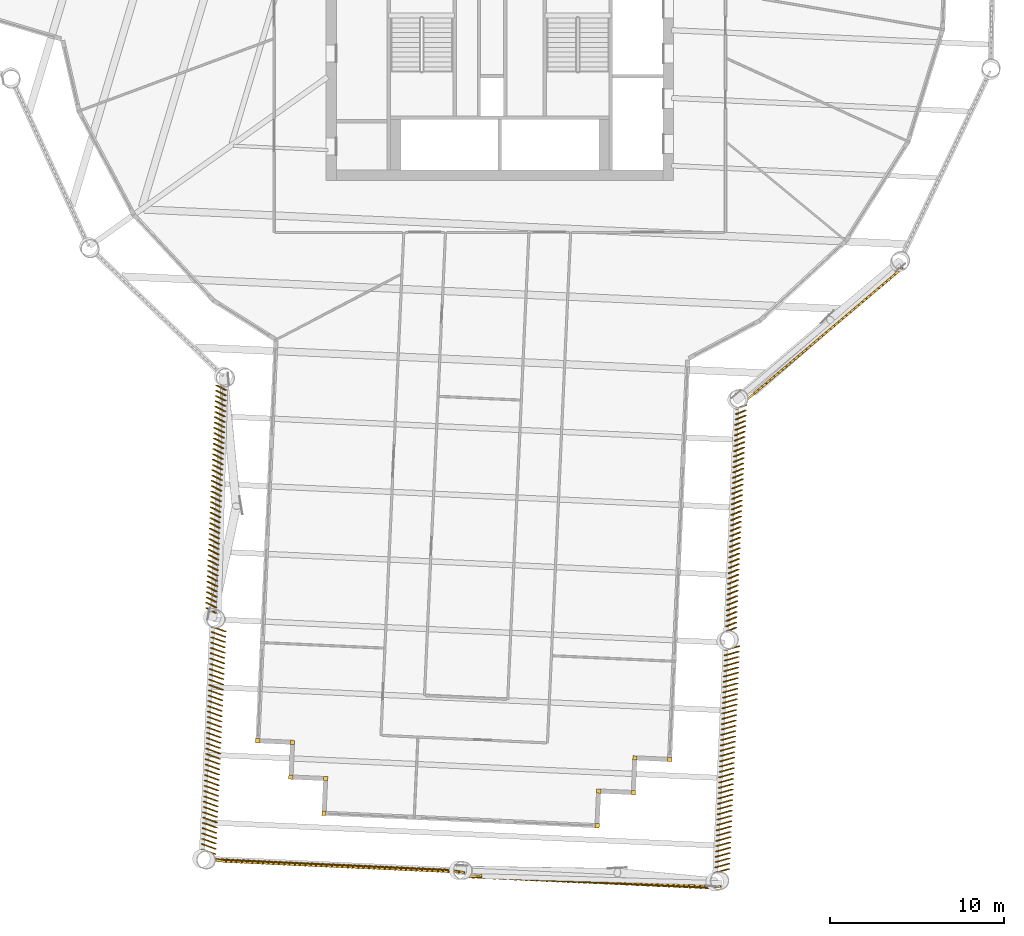
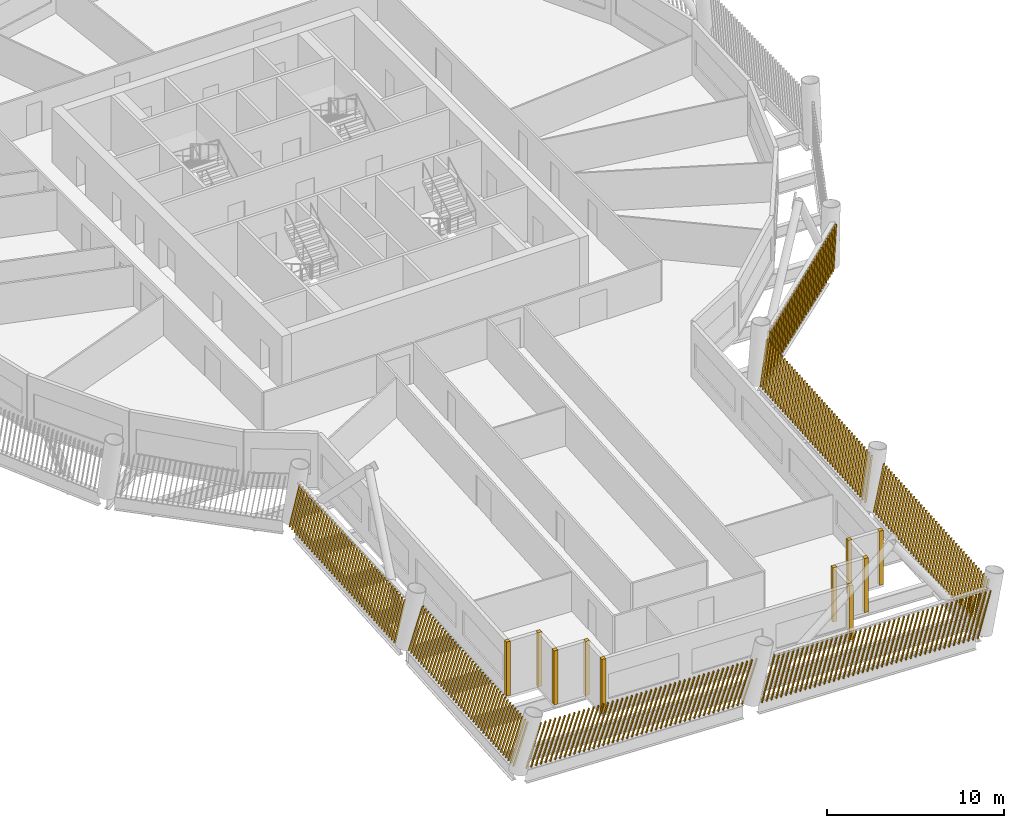
# One storey, part 20 of 24: 17 shading devices.
"""IFC4 building model written with IfcOpenShell, lengths in metres."""

from ifc_helpers import new_model, si_unit, direction, frame, frame_2d, origin, origin_2d, place, context, subcontext, project, spatial, rectangle, composite_profile, extrude, material, type_object, element, save


model = new_model("IFC4")

# Units and contexts
model_context = context("Model", 3, precision=1e-05, world=origin(), true_north=direction((0.0, 1.0)))
body_context = subcontext(model_context, "Body", "Model", "MODEL_VIEW")
ifc_project = project(units=[si_unit("LENGTHUNIT", "METRE"), si_unit("AREAUNIT", "SQUARE_METRE"), si_unit("VOLUMEUNIT", "CUBIC_METRE"), si_unit("PLANEANGLEUNIT", "RADIAN"), si_unit("MASSUNIT", "GRAM", prefix="KILO")], contexts=[model_context])

# Site, building, storey
site_placement = place(None, origin())
site = spatial("IfcSite", under=ifc_project, at=site_placement, CompositionType="ELEMENT")
building_placement = place(site_placement, origin())
building = spatial("IfcBuilding", under=site, at=building_placement, Name="Tarsis Ring Headquarters", CompositionType="ELEMENT")
storey_placement = place(building_placement, frame((0.0, 0.0, 216.0)))
storey = spatial("IfcBuildingStorey", under=building, at=storey_placement, Name="L50", CompositionType="ELEMENT", Elevation=216.0)

# Shading devices
ifc_material = material(Name="Terracotta baguette", Category="masonry")
shading_device_type_1 = type_object("IfcShadingDeviceType", Name="Terracotta baguette screen", PredefinedType="USERDEFINED", material=ifc_material)
shading_device_1_placement = place(storey_placement, frame((-16.31591796875, -24.781005859375, 0.0), z_axis=(0.0, 0.0, 1.0), x_axis=(-0.045357352357, -0.9989781823, 0.0)))
element("IfcShadingDevice", 1, at=shading_device_1_placement, inside=storey, type_object=shading_device_type_1, Name="Baguette screen L50-01", ObjectType="Terracotta baguette screen", PredefinedType="USERDEFINED", context=body_context, shape_type="SweptSolid", body=[
    extrude(composite_profile([rectangle(XDim=0.06005859375, YDim=0.1201171875, at=frame_2d((0.030029296875, 0.0))), rectangle(XDim=0.06005859375, YDim=0.1201171875, at=frame_2d((0.335693359375, 0.0))), rectangle(XDim=0.06005859375, YDim=0.1201171875, at=frame_2d((0.6416015625, 0.0))), rectangle(XDim=0.06005859375, YDim=0.1201171875, at=frame_2d((0.947265625, 0.0))), rectangle(XDim=0.06005859375, YDim=0.1201171875, at=frame_2d((1.253173828125, 0.0))), rectangle(XDim=0.06005859375, YDim=0.1201171875, at=frame_2d((1.558837890625, 0.0))), rectangle(XDim=0.06005859375, YDim=0.1201171875, at=frame_2d((1.864501953125, 0.0))), rectangle(XDim=0.06005859375, YDim=0.1201171875, at=frame_2d((2.17041015625, 0.0))), rectangle(XDim=0.06005859375, YDim=0.1201171875, at=frame_2d((2.47607421875, 0.0))), rectangle(XDim=0.06005859375, YDim=0.1201171875, at=frame_2d((2.781982421875, 0.0))), rectangle(XDim=0.06005859375, YDim=0.1201171875, at=frame_2d((3.087646484375, 0.0))), rectangle(XDim=0.06005859375, YDim=0.1201171875, at=frame_2d((3.393310546875, 0.0))), rectangle(XDim=0.06005859375, YDim=0.1201171875, at=frame_2d((3.69921875, 0.0))), rectangle(XDim=0.06005859375, YDim=0.1201171875, at=frame_2d((4.0048828125, 0.0))), rectangle(XDim=0.06005859375, YDim=0.1201171875, at=frame_2d((4.310791015625, 0.0))), rectangle(XDim=0.06005859375, YDim=0.1201171875, at=frame_2d((4.616455078125, 0.0))), rectangle(XDim=0.06005859375, YDim=0.1201171875, at=frame_2d((4.922119140625, 0.0))), rectangle(XDim=0.06005859375, YDim=0.1201171875, at=frame_2d((5.22802734375, 0.0))), rectangle(XDim=0.06005859375, YDim=0.1201171875, at=frame_2d((5.53369140625, 0.0))), rectangle(XDim=0.06005859375, YDim=0.1201171875, at=frame_2d((5.839599609375, 0.0))), rectangle(XDim=0.06005859375, YDim=0.1201171875, at=frame_2d((6.145263671875, 0.0))), rectangle(XDim=0.06005859375, YDim=0.1201171875, at=frame_2d((6.451171875, 0.0))), rectangle(XDim=0.06005859375, YDim=0.1201171875, at=frame_2d((6.7568359375, 0.0))), rectangle(XDim=0.06005859375, YDim=0.1201171875, at=frame_2d((7.0625, 0.0))), rectangle(XDim=0.06005859375, YDim=0.1201171875, at=frame_2d((7.368408203125, 0.0))), rectangle(XDim=0.06005859375, YDim=0.1201171875, at=frame_2d((7.674072265625, 0.0))), rectangle(XDim=0.06005859375, YDim=0.1201171875, at=frame_2d((7.97998046875, 0.0))), rectangle(XDim=0.06005859375, YDim=0.1201171875, at=frame_2d((8.28564453125, 0.0))), rectangle(XDim=0.06005859375, YDim=0.1201171875, at=frame_2d((8.59130859375, 0.0))), rectangle(XDim=0.06005859375, YDim=0.1201171875, at=frame_2d((8.897216796875, 0.0))), rectangle(XDim=0.06005859375, YDim=0.1201171875, at=frame_2d((9.202880859375, 0.0))), rectangle(XDim=0.06005859375, YDim=0.1201171875, at=frame_2d((9.5087890625, 0.0))), rectangle(XDim=0.06005859375, YDim=0.1201171875, at=frame_2d((9.814453125, 0.0))), rectangle(XDim=0.06005859375, YDim=0.1201171875, at=frame_2d((10.1201171875, 0.0))), rectangle(XDim=0.06005859375, YDim=0.1201171875, at=frame_2d((10.426025390625, 0.0))), rectangle(XDim=0.06005859375, YDim=0.1201171875, at=frame_2d((10.731689453125, 0.0))), rectangle(XDim=0.06005859375, YDim=0.1201171875, at=frame_2d((11.03759765625, 0.0))), rectangle(XDim=0.06005859375, YDim=0.1201171875, at=frame_2d((11.34326171875, 0.0))), rectangle(XDim=0.06005859375, YDim=0.1201171875, at=frame_2d((11.64892578125, 0.0))), rectangle(XDim=0.06005859375, YDim=0.1201171875, at=frame_2d((11.954833984375, 0.0))), rectangle(XDim=0.06005859375, YDim=0.1201171875, at=frame_2d((12.260498046875, 0.0))), rectangle(XDim=0.06005859375, YDim=0.1201171875, at=frame_2d((12.56640625, 0.0))), rectangle(XDim=0.06005859375, YDim=0.1201171875, at=frame_2d((12.8720703125, 0.0)))]), origin(), (0.083010286492, 0.178597439396, 0.980414324139), 3.0087890625),
])
shading_device_2_placement = place(storey_placement, frame((-16.572021484375, -38.685791015625, 0.0), z_axis=(0.0, 0.0, 1.0), x_axis=(-0.045357352357, -0.9989781823, 0.0)))
element("IfcShadingDevice", 2, at=shading_device_2_placement, inside=storey, type_object=shading_device_type_1, Name="Baguette screen L50-02", ObjectType="Terracotta baguette screen", PredefinedType="USERDEFINED", context=body_context, shape_type="SweptSolid", body=[
    extrude(composite_profile([rectangle(XDim=0.06005859375, YDim=0.1201171875, at=frame_2d((0.030029296875, 0.0))), rectangle(XDim=0.06005859375, YDim=0.1201171875, at=frame_2d((0.335693359375, 0.0))), rectangle(XDim=0.06005859375, YDim=0.1201171875, at=frame_2d((0.6416015625, 0.0))), rectangle(XDim=0.06005859375, YDim=0.1201171875, at=frame_2d((0.947265625, 0.0))), rectangle(XDim=0.06005859375, YDim=0.1201171875, at=frame_2d((1.253173828125, 0.0))), rectangle(XDim=0.06005859375, YDim=0.1201171875, at=frame_2d((1.558837890625, 0.0))), rectangle(XDim=0.06005859375, YDim=0.1201171875, at=frame_2d((1.864501953125, 0.0))), rectangle(XDim=0.06005859375, YDim=0.1201171875, at=frame_2d((2.17041015625, 0.0))), rectangle(XDim=0.06005859375, YDim=0.1201171875, at=frame_2d((2.47607421875, 0.0))), rectangle(XDim=0.06005859375, YDim=0.1201171875, at=frame_2d((2.781982421875, 0.0))), rectangle(XDim=0.06005859375, YDim=0.1201171875, at=frame_2d((3.087646484375, 0.0))), rectangle(XDim=0.06005859375, YDim=0.1201171875, at=frame_2d((3.393310546875, 0.0))), rectangle(XDim=0.06005859375, YDim=0.1201171875, at=frame_2d((3.69921875, 0.0))), rectangle(XDim=0.06005859375, YDim=0.1201171875, at=frame_2d((4.0048828125, 0.0))), rectangle(XDim=0.06005859375, YDim=0.1201171875, at=frame_2d((4.310791015625, 0.0))), rectangle(XDim=0.06005859375, YDim=0.1201171875, at=frame_2d((4.616455078125, 0.0))), rectangle(XDim=0.06005859375, YDim=0.1201171875, at=frame_2d((4.922119140625, 0.0))), rectangle(XDim=0.06005859375, YDim=0.1201171875, at=frame_2d((5.22802734375, 0.0))), rectangle(XDim=0.06005859375, YDim=0.1201171875, at=frame_2d((5.53369140625, 0.0))), rectangle(XDim=0.06005859375, YDim=0.1201171875, at=frame_2d((5.839599609375, 0.0))), rectangle(XDim=0.06005859375, YDim=0.1201171875, at=frame_2d((6.145263671875, 0.0))), rectangle(XDim=0.06005859375, YDim=0.1201171875, at=frame_2d((6.451171875, 0.0))), rectangle(XDim=0.06005859375, YDim=0.1201171875, at=frame_2d((6.7568359375, 0.0))), rectangle(XDim=0.06005859375, YDim=0.1201171875, at=frame_2d((7.0625, 0.0))), rectangle(XDim=0.06005859375, YDim=0.1201171875, at=frame_2d((7.368408203125, 0.0))), rectangle(XDim=0.06005859375, YDim=0.1201171875, at=frame_2d((7.674072265625, 0.0))), rectangle(XDim=0.06005859375, YDim=0.1201171875, at=frame_2d((7.97998046875, 0.0))), rectangle(XDim=0.06005859375, YDim=0.1201171875, at=frame_2d((8.28564453125, 0.0))), rectangle(XDim=0.06005859375, YDim=0.1201171875, at=frame_2d((8.59130859375, 0.0))), rectangle(XDim=0.06005859375, YDim=0.1201171875, at=frame_2d((8.897216796875, 0.0))), rectangle(XDim=0.06005859375, YDim=0.1201171875, at=frame_2d((9.202880859375, 0.0))), rectangle(XDim=0.06005859375, YDim=0.1201171875, at=frame_2d((9.5087890625, 0.0))), rectangle(XDim=0.06005859375, YDim=0.1201171875, at=frame_2d((9.814453125, 0.0))), rectangle(XDim=0.06005859375, YDim=0.1201171875, at=frame_2d((10.1201171875, 0.0))), rectangle(XDim=0.06005859375, YDim=0.1201171875, at=frame_2d((10.426025390625, 0.0))), rectangle(XDim=0.06005859375, YDim=0.1201171875, at=frame_2d((10.731689453125, 0.0))), rectangle(XDim=0.06005859375, YDim=0.1201171875, at=frame_2d((11.03759765625, 0.0))), rectangle(XDim=0.06005859375, YDim=0.1201171875, at=frame_2d((11.34326171875, 0.0))), rectangle(XDim=0.06005859375, YDim=0.1201171875, at=frame_2d((11.64892578125, 0.0))), rectangle(XDim=0.06005859375, YDim=0.1201171875, at=frame_2d((11.954833984375, 0.0))), rectangle(XDim=0.06005859375, YDim=0.1201171875, at=frame_2d((12.260498046875, 0.0))), rectangle(XDim=0.06005859375, YDim=0.1201171875, at=frame_2d((12.56640625, 0.0))), rectangle(XDim=0.06005859375, YDim=0.1201171875, at=frame_2d((12.8720703125, 0.0)))]), origin(), (0.078974297808, 0.251847210739, 0.964539290402), 3.058349609375),
])
shading_device_3_placement = place(storey_placement, frame((-16.680419921875, -52.096923828125, 0.0), z_axis=(0.0, 0.0, 1.0), x_axis=(0.998973905352, -0.045360459973, 0.0)))
element("IfcShadingDevice", 3, at=shading_device_3_placement, inside=storey, type_object=shading_device_type_1, Name="Baguette screen L50-03", ObjectType="Terracotta baguette screen", PredefinedType="USERDEFINED", context=body_context, shape_type="SweptSolid", body=[
    extrude(composite_profile([rectangle(XDim=0.06005859375, YDim=0.1201171875, at=frame_2d((0.030029296875, 0.0))), rectangle(XDim=0.06005859375, YDim=0.1201171875, at=frame_2d((0.33544921875, 0.0))), rectangle(XDim=0.06005859375, YDim=0.1201171875, at=frame_2d((0.640625, 0.0))), rectangle(XDim=0.06005859375, YDim=0.1201171875, at=frame_2d((0.946044921875, 0.0))), rectangle(XDim=0.06005859375, YDim=0.1201171875, at=frame_2d((1.25146484375, 0.0))), rectangle(XDim=0.06005859375, YDim=0.1201171875, at=frame_2d((1.556640625, 0.0))), rectangle(XDim=0.06005859375, YDim=0.1201171875, at=frame_2d((1.862060546875, 0.0))), rectangle(XDim=0.06005859375, YDim=0.1201171875, at=frame_2d((2.16748046875, 0.0))), rectangle(XDim=0.06005859375, YDim=0.1201171875, at=frame_2d((2.47265625, 0.0))), rectangle(XDim=0.06005859375, YDim=0.1201171875, at=frame_2d((2.778076171875, 0.0))), rectangle(XDim=0.06005859375, YDim=0.1201171875, at=frame_2d((3.08349609375, 0.0))), rectangle(XDim=0.06005859375, YDim=0.1201171875, at=frame_2d((3.388671875, 0.0))), rectangle(XDim=0.06005859375, YDim=0.1201171875, at=frame_2d((3.694091796875, 0.0))), rectangle(XDim=0.06005859375, YDim=0.1201171875, at=frame_2d((3.99951171875, 0.0))), rectangle(XDim=0.06005859375, YDim=0.1201171875, at=frame_2d((4.3046875, 0.0))), rectangle(XDim=0.06005859375, YDim=0.1201171875, at=frame_2d((4.610107421875, 0.0))), rectangle(XDim=0.06005859375, YDim=0.1201171875, at=frame_2d((4.91552734375, 0.0))), rectangle(XDim=0.06005859375, YDim=0.1201171875, at=frame_2d((5.220703125, 0.0))), rectangle(XDim=0.06005859375, YDim=0.1201171875, at=frame_2d((5.526123046875, 0.0))), rectangle(XDim=0.06005859375, YDim=0.1201171875, at=frame_2d((5.83154296875, 0.0))), rectangle(XDim=0.06005859375, YDim=0.1201171875, at=frame_2d((6.13671875, 0.0))), rectangle(XDim=0.06005859375, YDim=0.1201171875, at=frame_2d((6.442138671875, 0.0))), rectangle(XDim=0.06005859375, YDim=0.1201171875, at=frame_2d((6.74755859375, 0.0))), rectangle(XDim=0.06005859375, YDim=0.1201171875, at=frame_2d((7.052734375, 0.0))), rectangle(XDim=0.06005859375, YDim=0.1201171875, at=frame_2d((7.358154296875, 0.0))), rectangle(XDim=0.06005859375, YDim=0.1201171875, at=frame_2d((7.66357421875, 0.0))), rectangle(XDim=0.06005859375, YDim=0.1201171875, at=frame_2d((7.96875, 0.0))), rectangle(XDim=0.06005859375, YDim=0.1201171875, at=frame_2d((8.274169921875, 0.0))), rectangle(XDim=0.06005859375, YDim=0.1201171875, at=frame_2d((8.57958984375, 0.0))), rectangle(XDim=0.06005859375, YDim=0.1201171875, at=frame_2d((8.884765625, 0.0))), rectangle(XDim=0.06005859375, YDim=0.1201171875, at=frame_2d((9.190185546875, 0.0))), rectangle(XDim=0.06005859375, YDim=0.1201171875, at=frame_2d((9.49560546875, 0.0))), rectangle(XDim=0.06005859375, YDim=0.1201171875, at=frame_2d((9.80078125, 0.0))), rectangle(XDim=0.06005859375, YDim=0.1201171875, at=frame_2d((10.106201171875, 0.0))), rectangle(XDim=0.06005859375, YDim=0.1201171875, at=frame_2d((10.41162109375, 0.0))), rectangle(XDim=0.06005859375, YDim=0.1201171875, at=frame_2d((10.716796875, 0.0))), rectangle(XDim=0.06005859375, YDim=0.1201171875, at=frame_2d((11.022216796875, 0.0))), rectangle(XDim=0.06005859375, YDim=0.1201171875, at=frame_2d((11.32763671875, 0.0))), rectangle(XDim=0.06005859375, YDim=0.1201171875, at=frame_2d((11.6328125, 0.0))), rectangle(XDim=0.06005859375, YDim=0.1201171875, at=frame_2d((11.938232421875, 0.0))), rectangle(XDim=0.06005859375, YDim=0.1201171875, at=frame_2d((12.24365234375, 0.0))), rectangle(XDim=0.06005859375, YDim=0.1201171875, at=frame_2d((12.548828125, 0.0))), rectangle(XDim=0.06005859375, YDim=0.1201171875, at=frame_2d((12.854248046875, 0.0))), rectangle(XDim=0.06005859375, YDim=0.1201171875, at=frame_2d((13.15966796875, 0.0))), rectangle(XDim=0.06005859375, YDim=0.1201171875, at=frame_2d((13.46484375, 0.0))), rectangle(XDim=0.06005859375, YDim=0.1201171875, at=frame_2d((13.770263671875, 0.0)))]), origin(), (0.287346758182, -0.037821207506, 0.957079618854), 3.082275390625),
])
shading_device_4_placement = place(storey_placement, frame((-1.91259765625, -53.142822265625, 0.0), z_axis=(0.0, 0.0, 1.0), x_axis=(0.998973887198, -0.045378954073, 0.0)))
element("IfcShadingDevice", 4, at=shading_device_4_placement, inside=storey, type_object=shading_device_type_1, Name="Baguette screen L50-04", ObjectType="Terracotta baguette screen", PredefinedType="USERDEFINED", context=body_context, shape_type="SweptSolid", body=[
    extrude(composite_profile([rectangle(XDim=0.06005859375, YDim=0.1201171875, at=frame_2d((0.030029296875, 0.0))), rectangle(XDim=0.06005859375, YDim=0.1201171875, at=frame_2d((0.33544921875, 0.0))), rectangle(XDim=0.06005859375, YDim=0.1201171875, at=frame_2d((0.640625, 0.0))), rectangle(XDim=0.06005859375, YDim=0.1201171875, at=frame_2d((0.946044921875, 0.0))), rectangle(XDim=0.06005859375, YDim=0.1201171875, at=frame_2d((1.25146484375, 0.0))), rectangle(XDim=0.06005859375, YDim=0.1201171875, at=frame_2d((1.556640625, 0.0))), rectangle(XDim=0.06005859375, YDim=0.1201171875, at=frame_2d((1.862060546875, 0.0))), rectangle(XDim=0.06005859375, YDim=0.1201171875, at=frame_2d((2.16748046875, 0.0))), rectangle(XDim=0.06005859375, YDim=0.1201171875, at=frame_2d((2.47265625, 0.0))), rectangle(XDim=0.06005859375, YDim=0.1201171875, at=frame_2d((2.778076171875, 0.0))), rectangle(XDim=0.06005859375, YDim=0.1201171875, at=frame_2d((3.08349609375, 0.0))), rectangle(XDim=0.06005859375, YDim=0.1201171875, at=frame_2d((3.388671875, 0.0))), rectangle(XDim=0.06005859375, YDim=0.1201171875, at=frame_2d((3.694091796875, 0.0))), rectangle(XDim=0.06005859375, YDim=0.1201171875, at=frame_2d((3.99951171875, 0.0))), rectangle(XDim=0.06005859375, YDim=0.1201171875, at=frame_2d((4.3046875, 0.0))), rectangle(XDim=0.06005859375, YDim=0.1201171875, at=frame_2d((4.610107421875, 0.0))), rectangle(XDim=0.06005859375, YDim=0.1201171875, at=frame_2d((4.91552734375, 0.0))), rectangle(XDim=0.06005859375, YDim=0.1201171875, at=frame_2d((5.220703125, 0.0))), rectangle(XDim=0.06005859375, YDim=0.1201171875, at=frame_2d((5.526123046875, 0.0))), rectangle(XDim=0.06005859375, YDim=0.1201171875, at=frame_2d((5.83154296875, 0.0))), rectangle(XDim=0.06005859375, YDim=0.1201171875, at=frame_2d((6.13671875, 0.0))), rectangle(XDim=0.06005859375, YDim=0.1201171875, at=frame_2d((6.442138671875, 0.0))), rectangle(XDim=0.06005859375, YDim=0.1201171875, at=frame_2d((6.74755859375, 0.0))), rectangle(XDim=0.06005859375, YDim=0.1201171875, at=frame_2d((7.052734375, 0.0))), rectangle(XDim=0.06005859375, YDim=0.1201171875, at=frame_2d((7.358154296875, 0.0))), rectangle(XDim=0.06005859375, YDim=0.1201171875, at=frame_2d((7.66357421875, 0.0))), rectangle(XDim=0.06005859375, YDim=0.1201171875, at=frame_2d((7.96875, 0.0))), rectangle(XDim=0.06005859375, YDim=0.1201171875, at=frame_2d((8.274169921875, 0.0))), rectangle(XDim=0.06005859375, YDim=0.1201171875, at=frame_2d((8.57958984375, 0.0))), rectangle(XDim=0.06005859375, YDim=0.1201171875, at=frame_2d((8.884765625, 0.0))), rectangle(XDim=0.06005859375, YDim=0.1201171875, at=frame_2d((9.190185546875, 0.0))), rectangle(XDim=0.06005859375, YDim=0.1201171875, at=frame_2d((9.49560546875, 0.0))), rectangle(XDim=0.06005859375, YDim=0.1201171875, at=frame_2d((9.80078125, 0.0))), rectangle(XDim=0.06005859375, YDim=0.1201171875, at=frame_2d((10.106201171875, 0.0))), rectangle(XDim=0.06005859375, YDim=0.1201171875, at=frame_2d((10.41162109375, 0.0))), rectangle(XDim=0.06005859375, YDim=0.1201171875, at=frame_2d((10.716796875, 0.0))), rectangle(XDim=0.06005859375, YDim=0.1201171875, at=frame_2d((11.022216796875, 0.0))), rectangle(XDim=0.06005859375, YDim=0.1201171875, at=frame_2d((11.32763671875, 0.0))), rectangle(XDim=0.06005859375, YDim=0.1201171875, at=frame_2d((11.6328125, 0.0))), rectangle(XDim=0.06005859375, YDim=0.1201171875, at=frame_2d((11.938232421875, 0.0))), rectangle(XDim=0.06005859375, YDim=0.1201171875, at=frame_2d((12.24365234375, 0.0))), rectangle(XDim=0.06005859375, YDim=0.1201171875, at=frame_2d((12.548828125, 0.0))), rectangle(XDim=0.06005859375, YDim=0.1201171875, at=frame_2d((12.854248046875, 0.0))), rectangle(XDim=0.06005859375, YDim=0.1201171875, at=frame_2d((13.15966796875, 0.0))), rectangle(XDim=0.06005859375, YDim=0.1201171875, at=frame_2d((13.46484375, 0.0))), rectangle(XDim=0.06005859375, YDim=0.1201171875, at=frame_2d((13.770263671875, 0.0)))]), origin(), (0.288541458845, 0.042626168422, 0.956518079439), 3.083984375),
])
shading_device_5_placement = place(storey_placement, frame((12.412353515625, -52.91748046875, 0.0), z_axis=(0.0, 0.0, 1.0), x_axis=(0.045357352357, 0.9989781823, 0.0)))
element("IfcShadingDevice", 5, at=shading_device_5_placement, inside=storey, type_object=shading_device_type_1, Name="Baguette screen L50-05", ObjectType="Terracotta baguette screen", PredefinedType="USERDEFINED", context=body_context, shape_type="SweptSolid", body=[
    extrude(composite_profile([rectangle(XDim=0.06005859375, YDim=0.1201171875, at=frame_2d((0.030029296875, 0.0))), rectangle(XDim=0.06005859375, YDim=0.1201171875, at=frame_2d((0.335693359375, 0.0))), rectangle(XDim=0.06005859375, YDim=0.1201171875, at=frame_2d((0.6416015625, 0.0))), rectangle(XDim=0.06005859375, YDim=0.1201171875, at=frame_2d((0.947265625, 0.0))), rectangle(XDim=0.06005859375, YDim=0.1201171875, at=frame_2d((1.253173828125, 0.0))), rectangle(XDim=0.06005859375, YDim=0.1201171875, at=frame_2d((1.558837890625, 0.0))), rectangle(XDim=0.06005859375, YDim=0.1201171875, at=frame_2d((1.864501953125, 0.0))), rectangle(XDim=0.06005859375, YDim=0.1201171875, at=frame_2d((2.17041015625, 0.0))), rectangle(XDim=0.06005859375, YDim=0.1201171875, at=frame_2d((2.47607421875, 0.0))), rectangle(XDim=0.06005859375, YDim=0.1201171875, at=frame_2d((2.781982421875, 0.0))), rectangle(XDim=0.06005859375, YDim=0.1201171875, at=frame_2d((3.087646484375, 0.0))), rectangle(XDim=0.06005859375, YDim=0.1201171875, at=frame_2d((3.393310546875, 0.0))), rectangle(XDim=0.06005859375, YDim=0.1201171875, at=frame_2d((3.69921875, 0.0))), rectangle(XDim=0.06005859375, YDim=0.1201171875, at=frame_2d((4.0048828125, 0.0))), rectangle(XDim=0.06005859375, YDim=0.1201171875, at=frame_2d((4.310791015625, 0.0))), rectangle(XDim=0.06005859375, YDim=0.1201171875, at=frame_2d((4.616455078125, 0.0))), rectangle(XDim=0.06005859375, YDim=0.1201171875, at=frame_2d((4.922119140625, 0.0))), rectangle(XDim=0.06005859375, YDim=0.1201171875, at=frame_2d((5.22802734375, 0.0))), rectangle(XDim=0.06005859375, YDim=0.1201171875, at=frame_2d((5.53369140625, 0.0))), rectangle(XDim=0.06005859375, YDim=0.1201171875, at=frame_2d((5.839599609375, 0.0))), rectangle(XDim=0.06005859375, YDim=0.1201171875, at=frame_2d((6.145263671875, 0.0))), rectangle(XDim=0.06005859375, YDim=0.1201171875, at=frame_2d((6.451171875, 0.0))), rectangle(XDim=0.06005859375, YDim=0.1201171875, at=frame_2d((6.7568359375, 0.0))), rectangle(XDim=0.06005859375, YDim=0.1201171875, at=frame_2d((7.0625, 0.0))), rectangle(XDim=0.06005859375, YDim=0.1201171875, at=frame_2d((7.368408203125, 0.0))), rectangle(XDim=0.06005859375, YDim=0.1201171875, at=frame_2d((7.674072265625, 0.0))), rectangle(XDim=0.06005859375, YDim=0.1201171875, at=frame_2d((7.97998046875, 0.0))), rectangle(XDim=0.06005859375, YDim=0.1201171875, at=frame_2d((8.28564453125, 0.0))), rectangle(XDim=0.06005859375, YDim=0.1201171875, at=frame_2d((8.59130859375, 0.0))), rectangle(XDim=0.06005859375, YDim=0.1201171875, at=frame_2d((8.897216796875, 0.0))), rectangle(XDim=0.06005859375, YDim=0.1201171875, at=frame_2d((9.202880859375, 0.0))), rectangle(XDim=0.06005859375, YDim=0.1201171875, at=frame_2d((9.5087890625, 0.0))), rectangle(XDim=0.06005859375, YDim=0.1201171875, at=frame_2d((9.814453125, 0.0))), rectangle(XDim=0.06005859375, YDim=0.1201171875, at=frame_2d((10.1201171875, 0.0))), rectangle(XDim=0.06005859375, YDim=0.1201171875, at=frame_2d((10.426025390625, 0.0))), rectangle(XDim=0.06005859375, YDim=0.1201171875, at=frame_2d((10.731689453125, 0.0))), rectangle(XDim=0.06005859375, YDim=0.1201171875, at=frame_2d((11.03759765625, 0.0))), rectangle(XDim=0.06005859375, YDim=0.1201171875, at=frame_2d((11.34326171875, 0.0))), rectangle(XDim=0.06005859375, YDim=0.1201171875, at=frame_2d((11.64892578125, 0.0))), rectangle(XDim=0.06005859375, YDim=0.1201171875, at=frame_2d((11.954833984375, 0.0))), rectangle(XDim=0.06005859375, YDim=0.1201171875, at=frame_2d((12.260498046875, 0.0))), rectangle(XDim=0.06005859375, YDim=0.1201171875, at=frame_2d((12.56640625, 0.0))), rectangle(XDim=0.06005859375, YDim=0.1201171875, at=frame_2d((12.8720703125, 0.0)))]), origin(), (0.083179771426, -0.250489591665, 0.964539314955), 3.058349609375),
])
shading_device_6_placement = place(storey_placement, frame((13.04296875, -39.029541015625, 0.0), z_axis=(0.0, 0.0, 1.0), x_axis=(0.045357352357, 0.9989781823, 0.0)))
element("IfcShadingDevice", 6, at=shading_device_6_placement, inside=storey, type_object=shading_device_type_1, Name="Baguette screen L50-06", ObjectType="Terracotta baguette screen", PredefinedType="USERDEFINED", context=body_context, shape_type="SweptSolid", body=[
    extrude(composite_profile([rectangle(XDim=0.06005859375, YDim=0.1201171875, at=frame_2d((0.030029296875, 0.0))), rectangle(XDim=0.06005859375, YDim=0.1201171875, at=frame_2d((0.335693359375, 0.0))), rectangle(XDim=0.06005859375, YDim=0.1201171875, at=frame_2d((0.6416015625, 0.0))), rectangle(XDim=0.06005859375, YDim=0.1201171875, at=frame_2d((0.947265625, 0.0))), rectangle(XDim=0.06005859375, YDim=0.1201171875, at=frame_2d((1.253173828125, 0.0))), rectangle(XDim=0.06005859375, YDim=0.1201171875, at=frame_2d((1.558837890625, 0.0))), rectangle(XDim=0.06005859375, YDim=0.1201171875, at=frame_2d((1.864501953125, 0.0))), rectangle(XDim=0.06005859375, YDim=0.1201171875, at=frame_2d((2.17041015625, 0.0))), rectangle(XDim=0.06005859375, YDim=0.1201171875, at=frame_2d((2.47607421875, 0.0))), rectangle(XDim=0.06005859375, YDim=0.1201171875, at=frame_2d((2.781982421875, 0.0))), rectangle(XDim=0.06005859375, YDim=0.1201171875, at=frame_2d((3.087646484375, 0.0))), rectangle(XDim=0.06005859375, YDim=0.1201171875, at=frame_2d((3.393310546875, 0.0))), rectangle(XDim=0.06005859375, YDim=0.1201171875, at=frame_2d((3.69921875, 0.0))), rectangle(XDim=0.06005859375, YDim=0.1201171875, at=frame_2d((4.0048828125, 0.0))), rectangle(XDim=0.06005859375, YDim=0.1201171875, at=frame_2d((4.310791015625, 0.0))), rectangle(XDim=0.06005859375, YDim=0.1201171875, at=frame_2d((4.616455078125, 0.0))), rectangle(XDim=0.06005859375, YDim=0.1201171875, at=frame_2d((4.922119140625, 0.0))), rectangle(XDim=0.06005859375, YDim=0.1201171875, at=frame_2d((5.22802734375, 0.0))), rectangle(XDim=0.06005859375, YDim=0.1201171875, at=frame_2d((5.53369140625, 0.0))), rectangle(XDim=0.06005859375, YDim=0.1201171875, at=frame_2d((5.839599609375, 0.0))), rectangle(XDim=0.06005859375, YDim=0.1201171875, at=frame_2d((6.145263671875, 0.0))), rectangle(XDim=0.06005859375, YDim=0.1201171875, at=frame_2d((6.451171875, 0.0))), rectangle(XDim=0.06005859375, YDim=0.1201171875, at=frame_2d((6.7568359375, 0.0))), rectangle(XDim=0.06005859375, YDim=0.1201171875, at=frame_2d((7.0625, 0.0))), rectangle(XDim=0.06005859375, YDim=0.1201171875, at=frame_2d((7.368408203125, 0.0))), rectangle(XDim=0.06005859375, YDim=0.1201171875, at=frame_2d((7.674072265625, 0.0))), rectangle(XDim=0.06005859375, YDim=0.1201171875, at=frame_2d((7.97998046875, 0.0))), rectangle(XDim=0.06005859375, YDim=0.1201171875, at=frame_2d((8.28564453125, 0.0))), rectangle(XDim=0.06005859375, YDim=0.1201171875, at=frame_2d((8.59130859375, 0.0))), rectangle(XDim=0.06005859375, YDim=0.1201171875, at=frame_2d((8.897216796875, 0.0))), rectangle(XDim=0.06005859375, YDim=0.1201171875, at=frame_2d((9.202880859375, 0.0))), rectangle(XDim=0.06005859375, YDim=0.1201171875, at=frame_2d((9.5087890625, 0.0))), rectangle(XDim=0.06005859375, YDim=0.1201171875, at=frame_2d((9.814453125, 0.0))), rectangle(XDim=0.06005859375, YDim=0.1201171875, at=frame_2d((10.1201171875, 0.0))), rectangle(XDim=0.06005859375, YDim=0.1201171875, at=frame_2d((10.426025390625, 0.0))), rectangle(XDim=0.06005859375, YDim=0.1201171875, at=frame_2d((10.731689453125, 0.0))), rectangle(XDim=0.06005859375, YDim=0.1201171875, at=frame_2d((11.03759765625, 0.0))), rectangle(XDim=0.06005859375, YDim=0.1201171875, at=frame_2d((11.34326171875, 0.0))), rectangle(XDim=0.06005859375, YDim=0.1201171875, at=frame_2d((11.64892578125, 0.0))), rectangle(XDim=0.06005859375, YDim=0.1201171875, at=frame_2d((11.954833984375, 0.0))), rectangle(XDim=0.06005859375, YDim=0.1201171875, at=frame_2d((12.260498046875, 0.0))), rectangle(XDim=0.06005859375, YDim=0.1201171875, at=frame_2d((12.56640625, 0.0))), rectangle(XDim=0.06005859375, YDim=0.1201171875, at=frame_2d((12.8720703125, 0.0)))]), origin(), (0.083915436025, -0.17723073887, 0.980585266459), 3.00830078125),
])
shading_device_7_placement = place(storey_placement, frame((14.27490234375, -25.604736328125, 0.0), z_axis=(0.0, 0.0, 1.0), x_axis=(0.763776451438, 0.645469343462, 0.0)))
element("IfcShadingDevice", 7, at=shading_device_7_placement, inside=storey, type_object=shading_device_type_1, Name="Baguette screen L50-07", ObjectType="Terracotta baguette screen", PredefinedType="USERDEFINED", context=body_context, shape_type="SweptSolid", body=[
    extrude(composite_profile([rectangle(XDim=0.06005859375, YDim=0.1201171875, at=frame_2d((0.030029296875, 0.0))), rectangle(XDim=0.06005859375, YDim=0.1201171875, at=frame_2d((0.33251953125, 0.0))), rectangle(XDim=0.06005859375, YDim=0.1201171875, at=frame_2d((0.634765625, 0.0))), rectangle(XDim=0.06005859375, YDim=0.1201171875, at=frame_2d((0.937255859375, 0.0))), rectangle(XDim=0.06005859375, YDim=0.1201171875, at=frame_2d((1.239501953125, 0.0))), rectangle(XDim=0.06005859375, YDim=0.1201171875, at=frame_2d((1.5419921875, 0.0))), rectangle(XDim=0.06005859375, YDim=0.1201171875, at=frame_2d((1.844482421875, 0.0))), rectangle(XDim=0.06005859375, YDim=0.1201171875, at=frame_2d((2.146728515625, 0.0))), rectangle(XDim=0.06005859375, YDim=0.1201171875, at=frame_2d((2.44921875, 0.0))), rectangle(XDim=0.06005859375, YDim=0.1201171875, at=frame_2d((2.751708984375, 0.0))), rectangle(XDim=0.06005859375, YDim=0.1201171875, at=frame_2d((3.053955078125, 0.0))), rectangle(XDim=0.06005859375, YDim=0.1201171875, at=frame_2d((3.3564453125, 0.0))), rectangle(XDim=0.06005859375, YDim=0.1201171875, at=frame_2d((3.65869140625, 0.0))), rectangle(XDim=0.06005859375, YDim=0.1201171875, at=frame_2d((3.961181640625, 0.0))), rectangle(XDim=0.06005859375, YDim=0.1201171875, at=frame_2d((4.263671875, 0.0))), rectangle(XDim=0.06005859375, YDim=0.1201171875, at=frame_2d((4.56591796875, 0.0))), rectangle(XDim=0.06005859375, YDim=0.1201171875, at=frame_2d((4.868408203125, 0.0))), rectangle(XDim=0.06005859375, YDim=0.1201171875, at=frame_2d((5.1708984375, 0.0))), rectangle(XDim=0.06005859375, YDim=0.1201171875, at=frame_2d((5.47314453125, 0.0))), rectangle(XDim=0.06005859375, YDim=0.1201171875, at=frame_2d((5.775634765625, 0.0))), rectangle(XDim=0.06005859375, YDim=0.1201171875, at=frame_2d((6.077880859375, 0.0))), rectangle(XDim=0.06005859375, YDim=0.1201171875, at=frame_2d((6.38037109375, 0.0))), rectangle(XDim=0.06005859375, YDim=0.1201171875, at=frame_2d((6.682861328125, 0.0))), rectangle(XDim=0.06005859375, YDim=0.1201171875, at=frame_2d((6.985107421875, 0.0))), rectangle(XDim=0.06005859375, YDim=0.1201171875, at=frame_2d((7.28759765625, 0.0))), rectangle(XDim=0.06005859375, YDim=0.1201171875, at=frame_2d((7.590087890625, 0.0))), rectangle(XDim=0.06005859375, YDim=0.1201171875, at=frame_2d((7.892333984375, 0.0))), rectangle(XDim=0.06005859375, YDim=0.1201171875, at=frame_2d((8.19482421875, 0.0))), rectangle(XDim=0.06005859375, YDim=0.1201171875, at=frame_2d((8.4970703125, 0.0))), rectangle(XDim=0.06005859375, YDim=0.1201171875, at=frame_2d((8.799560546875, 0.0))), rectangle(XDim=0.06005859375, YDim=0.1201171875, at=frame_2d((9.10205078125, 0.0))), rectangle(XDim=0.06005859375, YDim=0.1201171875, at=frame_2d((9.404296875, 0.0))), rectangle(XDim=0.06005859375, YDim=0.1201171875, at=frame_2d((9.706787109375, 0.0))), rectangle(XDim=0.06005859375, YDim=0.1201171875, at=frame_2d((10.00927734375, 0.0))), rectangle(XDim=0.06005859375, YDim=0.1201171875, at=frame_2d((10.3115234375, 0.0))), rectangle(XDim=0.06005859375, YDim=0.1201171875, at=frame_2d((10.614013671875, 0.0))), rectangle(XDim=0.06005859375, YDim=0.1201171875, at=frame_2d((10.916259765625, 0.0))), rectangle(XDim=0.06005859375, YDim=0.1201171875, at=frame_2d((11.21875, 0.0)))]), origin(), (0.161263452534, 0.001351077038, 0.986910468821), 2.989013671875),
])
shading_device_type_2 = type_object("IfcShadingDeviceType", Name="Terracotta corner baguette 250x250", PredefinedType="USERDEFINED", material=ifc_material)
for number, where, z_axis, x_axis, name in (
    (8, (-13.94384765625, -45.2890625, 0.0), (0.0, 0.0, 1.0), (-0.045362953259, -0.998970571374, 0.0), "Corner baguette L50-07"),
    (9, (-11.94580078125, -45.3798828125, 0.0), (0.0, 0.0, 1.0), (0.998970568999, -0.045363005565, 0.0), "Corner baguette L50-08"),
    (10, (-12.03662109375, -47.377685546875, 0.0), (0.0, 0.0, 1.0), (-0.045363005565, -0.998970568999, 0.0), "Corner baguette L50-09"),
    (11, (-10.03857421875, -47.468505859375, 0.0), (0.0, 0.0, 1.0), (0.998970568999, -0.045363005565, 0.0), "Corner baguette L50-10"),
    (12, (-10.12939453125, -49.46630859375, 0.0), (0.0, 0.0, 1.0), (-0.045362988129, -0.998970569791, 0.0), "Corner baguette L50-11"),
    (13, (5.6044921875, -50.180908203125, 0.0), (0.0, 0.0, 1.0), (0.998970572166, -0.045362935823, 0.0), "Corner baguette L50-12"),
    (14, (5.695068359375, -48.182861328125, 0.0), (0.0, 0.0, 1.0), (0.045363005565, 0.998970568999, 0.0), "Corner baguette L50-13"),
    (15, (7.693115234375, -48.273681640625, 0.0), (0.0, 0.0, 1.0), (0.998970569791, -0.045362988129, 0.0), "Corner baguette L50-14"),
    (16, (7.78369140625, -46.275634765625, 0.0), (0.0, 0.0, 1.0), (0.04536249994, 0.998970591959, 0.0), "Corner baguette L50-15"),
    (17, (9.78173828125, -46.366455078125, 0.0), (0.0, 0.0, 1.0), (0.998970568999, -0.045363005565, 0.0), "Corner baguette L50-16"),
):
    element("IfcShadingDevice", number, at=place(storey_placement, frame(where, z_axis=z_axis, x_axis=x_axis)), inside=storey, type_object=shading_device_type_2, Name=name, ObjectType="Terracotta corner baguette", PredefinedType="USERDEFINED", context=body_context, shape_type="SweptSolid", body=[
        extrude(rectangle(XDim=0.25, YDim=0.25, at=origin_2d()), origin(), (0.0, 0.0, 1.0), 3.739990234375),
    ])

save(model, "model.ifc")
